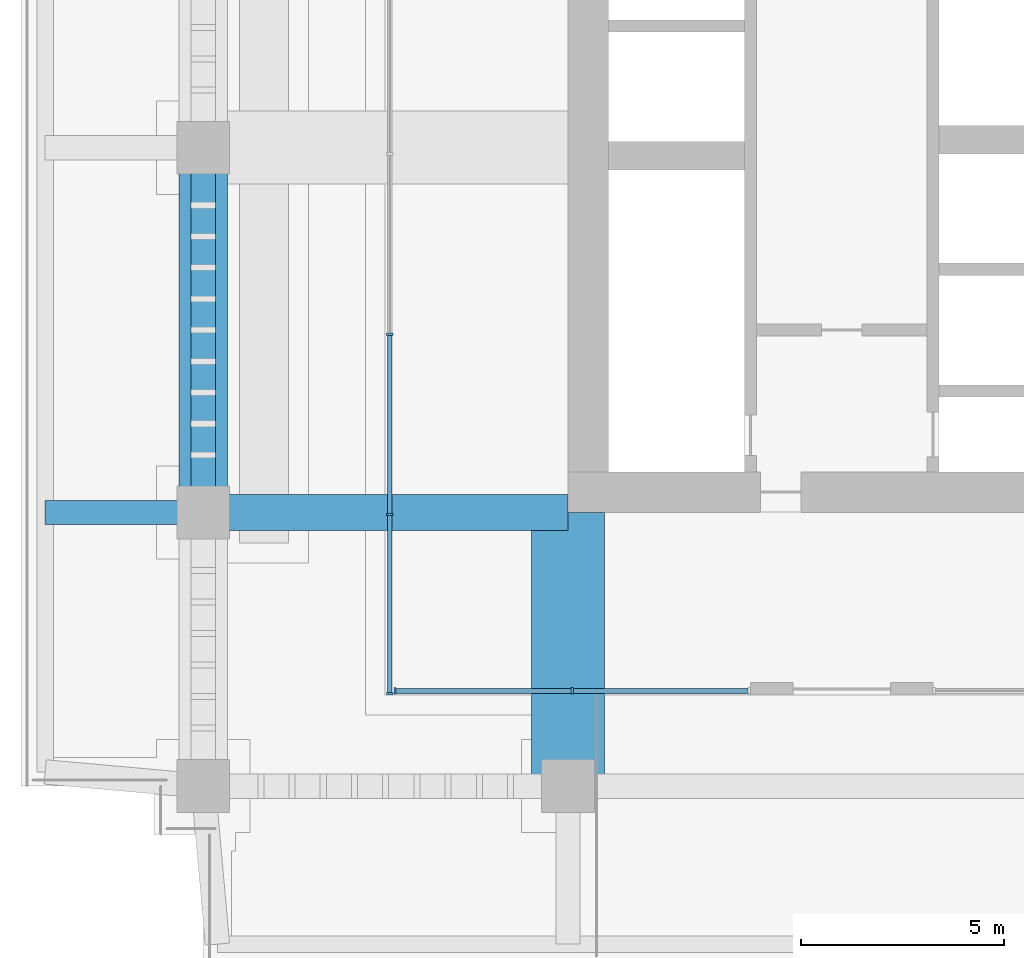
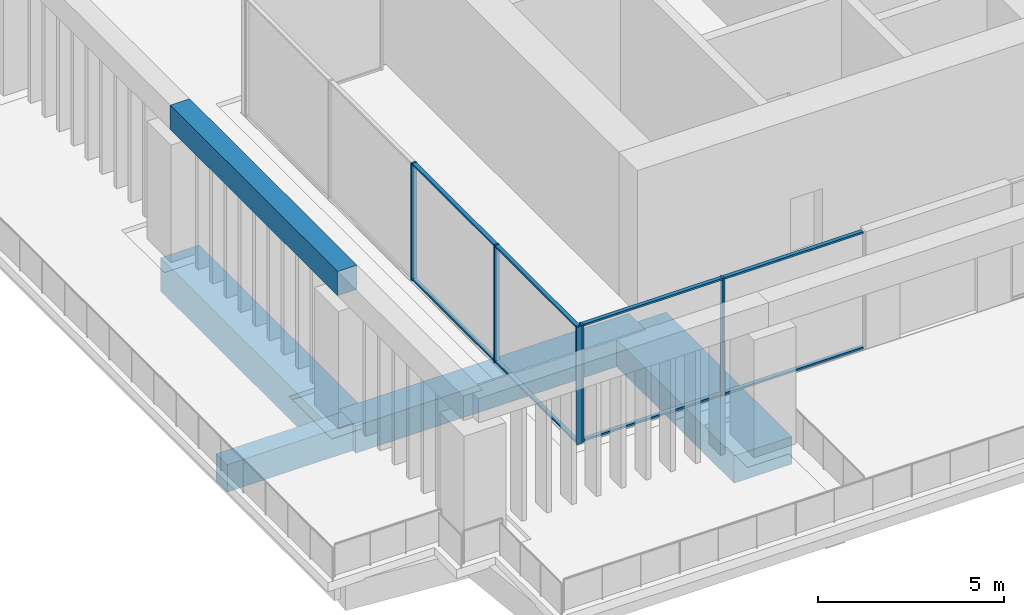
# One storey, part 2 of 9: 13 members, 5 beams, 2 elements without a shape of their own.
"""IFC4 building model written with IfcOpenShell, lengths in metres."""

from ifc_helpers import new_model, si_unit, direction, frame, origin, origin_2d, place, context, subcontext, project, spatial, rectangle, extrude, material, layer, layer_set, material_profile, profile_set, type_object, element, aggregate, save


model = new_model("IFC4")

# Units and contexts
model_context = context("Model", 3, precision=1e-05, world=origin(), true_north=direction((0.0, 1.0)))
body_context = subcontext(model_context, "Body", "Model", "MODEL_VIEW")
ifc_project = project(units=[si_unit("LENGTHUNIT", "METRE"), si_unit("AREAUNIT", "SQUARE_METRE"), si_unit("VOLUMEUNIT", "CUBIC_METRE"), si_unit("PLANEANGLEUNIT", "RADIAN"), si_unit("MASSUNIT", "GRAM", prefix="KILO")], contexts=[model_context])

# Site, building, storey
site_placement = place(None, origin())
site = spatial("IfcSite", under=ifc_project, at=site_placement, CompositionType="ELEMENT")
building_placement = place(site_placement, origin())
building = spatial("IfcBuilding", under=site, at=building_placement, Name="Namib Vertical Campus", CompositionType="ELEMENT")
storey_placement = place(building_placement, frame((0.0, 0.0, 297.0)))
storey = spatial("IfcBuildingStorey", under=building, at=storey_placement, Name="L70", CompositionType="ELEMENT", Elevation=297.0)

# Beam
ifc_material_1 = material(Name="Concrete C40/50", Category="concrete")
ifc_material_profile_1 = material_profile(ifc_material_1, rectangle(XDim=0.60009765625, YDim=0.89990234375, at=origin_2d()))
ifc_profile_set_1 = profile_set([ifc_material_profile_1], Name="Concrete C40/50")
beam_type_1 = type_object("IfcBeamType", Name="Cantilever girder RC 600x900", PredefinedType="BEAM", material=ifc_profile_set_1)
beam_1_placement = place(storey_placement, frame((4.5, 11.25, -0.699951171875), z_axis=(-1.0, 0.0, 0.0), x_axis=(0.0, -1.0, 0.0)))
element("IfcBeam", 1, at=beam_1_placement, inside=storey, type_object=beam_type_1, Name="Beam B3 L70", PredefinedType="BEAM", context=body_context, shape_type="SweptSolid", body=[
    extrude(rectangle(XDim=0.60009765625, YDim=0.89990234375, at=origin_2d()), origin(), (0.0, 0.0, 1.0), 3.89990234375),
])

# Curtain wall, members
ifc_material_2 = material(Name="Black aluminium curtain wall", Category="aluminium")
ifc_layer = layer(ifc_material_2, 0.199951171875)
ifc_layer_set = layer_set([ifc_layer], Name="Pavilion curtain wall CW-PV")
curtain_wall_type = type_object("IfcCurtainWallType", Name="Pavilion curtain wall CW-PV", PredefinedType="USERDEFINED", material=ifc_layer_set)
curtain_wall_1_placement = place(storey_placement, origin())
curtain_wall_1 = element("IfcCurtainWall", 2, at=curtain_wall_1_placement, inside=storey, type_object=curtain_wall_type, Name="Curtain wall CW-PV L70 7", ObjectType="CURTAIN WALL", PredefinedType="USERDEFINED")
ifc_material_3 = material(Name="Black anodised aluminium", Category="aluminium")
ifc_material_profile_2 = material_profile(ifc_material_3, rectangle(XDim=0.06005859375, YDim=0.159912109375, at=origin_2d()))
ifc_profile_set_2 = profile_set([ifc_material_profile_2], Name="Black anodised aluminium")
member_type_1 = type_object("IfcMemberType", Name="Curtain wall mullion 60x160", PredefinedType="MULLION", material=ifc_profile_set_2)
member_1_placement = place(storey_placement, frame((9.10009765625, 15.64990234375, 0.0), z_axis=(0.0, 0.0, 1.0), x_axis=(0.0, -1.0, 0.0)))
member_1 = element("IfcMember", 3, at=member_1_placement, type_object=member_type_1, Name="CW-PV mullion 3", PredefinedType="MULLION", context=body_context, shape_type="SweptSolid", body=[
    extrude(rectangle(XDim=0.06005859375, YDim=0.159912109375, at=origin_2d()), origin(), (0.0, 0.0, 1.0), 3.85009765625),
])
member_2_placement = place(storey_placement, frame((9.10009765625, 11.199951171875, 0.0), z_axis=(0.0, 0.0, 1.0), x_axis=(0.0, -1.0, 0.0)))
member_2 = element("IfcMember", 4, at=member_2_placement, type_object=member_type_1, Name="CW-PV mullion 4", PredefinedType="MULLION", context=body_context, shape_type="SweptSolid", body=[
    extrude(rectangle(XDim=0.06005859375, YDim=0.159912109375, at=origin_2d()), origin(), (0.0, 0.0, 1.0), 3.85009765625),
])
member_3_placement = place(storey_placement, frame((9.10009765625, 6.780029296875, 0.0), z_axis=(0.0, 0.0, 1.0), x_axis=(0.0, -1.0, 0.0)))
member_3 = element("IfcMember", 5, at=member_3_placement, type_object=member_type_1, Name="CW-PV mullion 5", PredefinedType="MULLION", context=body_context, shape_type="SweptSolid", body=[
    extrude(rectangle(XDim=0.06005859375, YDim=0.159912109375, at=origin_2d()), origin(), (0.0, 0.0, 1.0), 3.85009765625),
])

curtain_wall_2_placement = place(storey_placement, origin())
curtain_wall_2 = element("IfcCurtainWall", 6, at=curtain_wall_2_placement, inside=storey, type_object=curtain_wall_type, Name="Curtain wall CW-PV L70 south 1", ObjectType="CURTAIN WALL", PredefinedType="USERDEFINED")
member_4_placement = place(storey_placement, frame((9.22998046875, 6.85009765625, 0.0), z_axis=(0.0, 0.0, 1.0), x_axis=(1.0, 0.0, 0.0)))
member_4 = element("IfcMember", 7, at=member_4_placement, type_object=member_type_1, Name="CW-PV mullion 1", PredefinedType="MULLION", context=body_context, shape_type="SweptSolid", body=[
    extrude(rectangle(XDim=0.06005859375, YDim=0.159912109375, at=origin_2d()), origin(), (0.0, 0.0, 1.0), 3.85009765625),
])
member_5_placement = place(storey_placement, frame((13.60009765625, 6.85009765625, 0.0), z_axis=(0.0, 0.0, 1.0), x_axis=(1.0, 0.0, 0.0)))
member_5 = element("IfcMember", 8, at=member_5_placement, type_object=member_type_1, Name="CW-PV mullion 2", PredefinedType="MULLION", context=body_context, shape_type="SweptSolid", body=[
    extrude(rectangle(XDim=0.06005859375, YDim=0.159912109375, at=origin_2d()), origin(), (0.0, 0.0, 1.0), 3.85009765625),
])

# Member
ifc_material_4 = material(Name="Black anodised aluminium", Category="aluminium")
ifc_material_profile_3 = material_profile(ifc_material_4, rectangle(XDim=0.06005859375, YDim=0.1201171875, at=origin_2d()))
ifc_profile_set_3 = profile_set([ifc_material_profile_3], Name="Black anodised aluminium")
member_type_2 = type_object("IfcMemberType", Name="Curtain wall transom 60x120", PredefinedType="USERDEFINED", material=ifc_profile_set_3)
member_6_placement = place(storey_placement, frame((9.10009765625, 15.6201171875, 0.030029296875), z_axis=(0.0, -1.0, 0.0), x_axis=(0.0, 0.0, 1.0)))
member_6 = element("IfcMember", 9, at=member_6_placement, type_object=member_type_2, Name="CW-PV transom 3.1", ObjectType="TRANSOM", PredefinedType="USERDEFINED", context=body_context, shape_type="SweptSolid", body=[
    extrude(rectangle(XDim=0.06005859375, YDim=0.1201171875, at=origin_2d()), origin(), (0.0, 0.0, 1.0), 4.39013671875),
])

member_7_placement = place(storey_placement, frame((9.10009765625, 15.6201171875, 3.820068359375), z_axis=(0.0, -1.0, 0.0), x_axis=(0.0, 0.0, 1.0)))
member_7 = element("IfcMember", 10, at=member_7_placement, type_object=member_type_2, Name="CW-PV transom 3.2", ObjectType="TRANSOM", PredefinedType="USERDEFINED", context=body_context, shape_type="SweptSolid", body=[
    extrude(rectangle(XDim=0.06005859375, YDim=0.1201171875, at=origin_2d()), origin(), (0.0, 0.0, 1.0), 4.39013671875),
])

member_8_placement = place(storey_placement, frame((9.10009765625, 11.169921875, 0.030029296875), z_axis=(0.0, -1.0, 0.0), x_axis=(0.0, 0.0, 1.0)))
member_8 = element("IfcMember", 11, at=member_8_placement, type_object=member_type_2, Name="CW-PV transom 4.1", ObjectType="TRANSOM", PredefinedType="USERDEFINED", context=body_context, shape_type="SweptSolid", body=[
    extrude(rectangle(XDim=0.06005859375, YDim=0.1201171875, at=origin_2d()), origin(), (0.0, 0.0, 1.0), 4.35986328125),
])

member_9_placement = place(storey_placement, frame((9.10009765625, 11.169921875, 3.820068359375), z_axis=(0.0, -1.0, 0.0), x_axis=(0.0, 0.0, 1.0)))
member_9 = element("IfcMember", 12, at=member_9_placement, type_object=member_type_2, Name="CW-PV transom 4.2", ObjectType="TRANSOM", PredefinedType="USERDEFINED", context=body_context, shape_type="SweptSolid", body=[
    extrude(rectangle(XDim=0.06005859375, YDim=0.1201171875, at=origin_2d()), origin(), (0.0, 0.0, 1.0), 4.35986328125),
])

aggregate(curtain_wall_1, [member_1, member_2, member_3, member_6, member_7, member_8, member_9])

member_10_placement = place(storey_placement, frame((9.260009765625, 6.85009765625, 0.030029296875), z_axis=(1.0, 0.0, 0.0), x_axis=(0.0, 0.0, 1.0)))
member_10 = element("IfcMember", 13, at=member_10_placement, type_object=member_type_2, Name="CW-PV transom 1.1", ObjectType="TRANSOM", PredefinedType="USERDEFINED", context=body_context, shape_type="SweptSolid", body=[
    extrude(rectangle(XDim=0.06005859375, YDim=0.1201171875, at=origin_2d()), origin(), (0.0, 0.0, 1.0), 4.31005859375),
])

member_11_placement = place(storey_placement, frame((9.260009765625, 6.85009765625, 3.820068359375), z_axis=(1.0, 0.0, 0.0), x_axis=(0.0, 0.0, 1.0)))
member_11 = element("IfcMember", 14, at=member_11_placement, type_object=member_type_2, Name="CW-PV transom 1.2", ObjectType="TRANSOM", PredefinedType="USERDEFINED", context=body_context, shape_type="SweptSolid", body=[
    extrude(rectangle(XDim=0.06005859375, YDim=0.1201171875, at=origin_2d()), origin(), (0.0, 0.0, 1.0), 4.31005859375),
])

member_12_placement = place(storey_placement, frame((13.6298828125, 6.85009765625, 0.030029296875), z_axis=(1.0, 0.0, 0.0), x_axis=(0.0, 0.0, 1.0)))
member_12 = element("IfcMember", 15, at=member_12_placement, type_object=member_type_2, Name="CW-PV transom 2.1", ObjectType="TRANSOM", PredefinedType="USERDEFINED", context=body_context, shape_type="SweptSolid", body=[
    extrude(rectangle(XDim=0.06005859375, YDim=0.1201171875, at=origin_2d()), origin(), (0.0, 0.0, 1.0), 4.31005859375),
])

member_13_placement = place(storey_placement, frame((13.6298828125, 6.85009765625, 3.820068359375), z_axis=(1.0, 0.0, 0.0), x_axis=(0.0, 0.0, 1.0)))
member_13 = element("IfcMember", 16, at=member_13_placement, type_object=member_type_2, Name="CW-PV transom 2.2", ObjectType="TRANSOM", PredefinedType="USERDEFINED", context=body_context, shape_type="SweptSolid", body=[
    extrude(rectangle(XDim=0.06005859375, YDim=0.1201171875, at=origin_2d()), origin(), (0.0, 0.0, 1.0), 4.31005859375),
])

aggregate(curtain_wall_2, [member_4, member_5, member_10, member_11, member_12, member_13])

# Beams
ifc_material_5 = material(Name="Concrete C40/50", Category="concrete")
ifc_material_profile_4 = material_profile(ifc_material_5, rectangle(XDim=0.89990234375, YDim=0.89990234375, at=origin_2d()))
ifc_profile_set_4 = profile_set([ifc_material_profile_4], Name="Concrete C40/50")
beam_type_2 = type_object("IfcBeamType", Name="Face girder RC 900x900", PredefinedType="BEAM", material=ifc_profile_set_4)
beam_2_placement = place(storey_placement, frame((4.5, 11.25, -0.699951171875), z_axis=(1.0, 0.0, 0.0), x_axis=(0.0, 1.0, 0.0)))
element("IfcBeam", 17, at=beam_2_placement, inside=storey, type_object=beam_type_2, Name="Beam B10 L70", PredefinedType="BEAM", context=body_context, shape_type="SweptSolid", body=[
    extrude(rectangle(XDim=0.89990234375, YDim=0.89990234375, at=origin_2d()), origin(), (0.0, 0.0, 1.0), 9.0),
])
ifc_material_6 = material(Name="Concrete C40/50", Category="concrete")
ifc_material_profile_5 = material_profile(ifc_material_6, rectangle(XDim=1.199951171875, YDim=1.10009765625, at=origin_2d()))
ifc_profile_set_5 = profile_set([ifc_material_profile_5], Name="Concrete C40/50")
beam_type_3 = type_object("IfcBeamType", Name="Face ring beam RC 1200x1100", PredefinedType="BEAM", material=ifc_profile_set_5)
beam_3_placement = place(storey_placement, frame((4.5, 11.25, -0.800048828125), z_axis=(0.0, 1.0, 0.0), x_axis=(-1.0, 0.0, 0.0)))
element("IfcBeam", 18, at=beam_3_placement, inside=storey, type_object=beam_type_3, Name="Beam B11 L70", PredefinedType="BEAM", context=body_context, shape_type="SweptSolid", body=[
    extrude(rectangle(XDim=1.199951171875, YDim=1.10009765625, at=origin_2d()), origin(), (0.0, 0.0, 1.0), 9.0),
])
ifc_material_7 = material(Name="Concrete C40/50", Category="concrete")
ifc_material_profile_6 = material_profile(ifc_material_7, rectangle(XDim=1.800048828125, YDim=0.89990234375, at=origin_2d()))
ifc_profile_set_6 = profile_set([ifc_material_profile_6], Name="Concrete C40/50")
beam_type_4 = type_object("IfcBeamType", Name="Outrigger line girder RC 1800x900", PredefinedType="BEAM", material=ifc_profile_set_6)
beam_4_placement = place(storey_placement, frame((13.5, 4.5, -0.699951171875), z_axis=(0.0, 1.0, 0.0), x_axis=(-1.0, 0.0, 0.0)))
element("IfcBeam", 19, at=beam_4_placement, inside=storey, type_object=beam_type_4, Name="Beam B12 L70", PredefinedType="BEAM", context=body_context, shape_type="SweptSolid", body=[
    extrude(rectangle(XDim=1.800048828125, YDim=0.89990234375, at=origin_2d()), origin(), (0.0, 0.0, 1.0), 6.75),
])
ifc_material_8 = material(Name="Concrete C40/50", Category="concrete")
ifc_material_profile_7 = material_profile(ifc_material_8, rectangle(XDim=0.60009765625, YDim=0.800048828125, at=origin_2d()))
ifc_profile_set_7 = profile_set([ifc_material_profile_7], Name="Concrete C40/50")
beam_type_5 = type_object("IfcBeamType", Name="Ring beam RC 600x800", PredefinedType="BEAM", material=ifc_profile_set_7)
beam_5_placement = place(storey_placement, frame((4.5, 11.25, 4.25), z_axis=(0.0, 1.0, 0.0), x_axis=(-1.0, 0.0, 0.0)))
element("IfcBeam", 20, at=beam_5_placement, inside=storey, type_object=beam_type_5, Name="Canopy ring beam B1 RBW2", PredefinedType="BEAM", context=body_context, shape_type="SweptSolid", body=[
    extrude(rectangle(XDim=0.60009765625, YDim=0.800048828125, at=origin_2d()), origin(), (0.0, 0.0, 1.0), 9.0),
])

save(model, "model.ifc")
